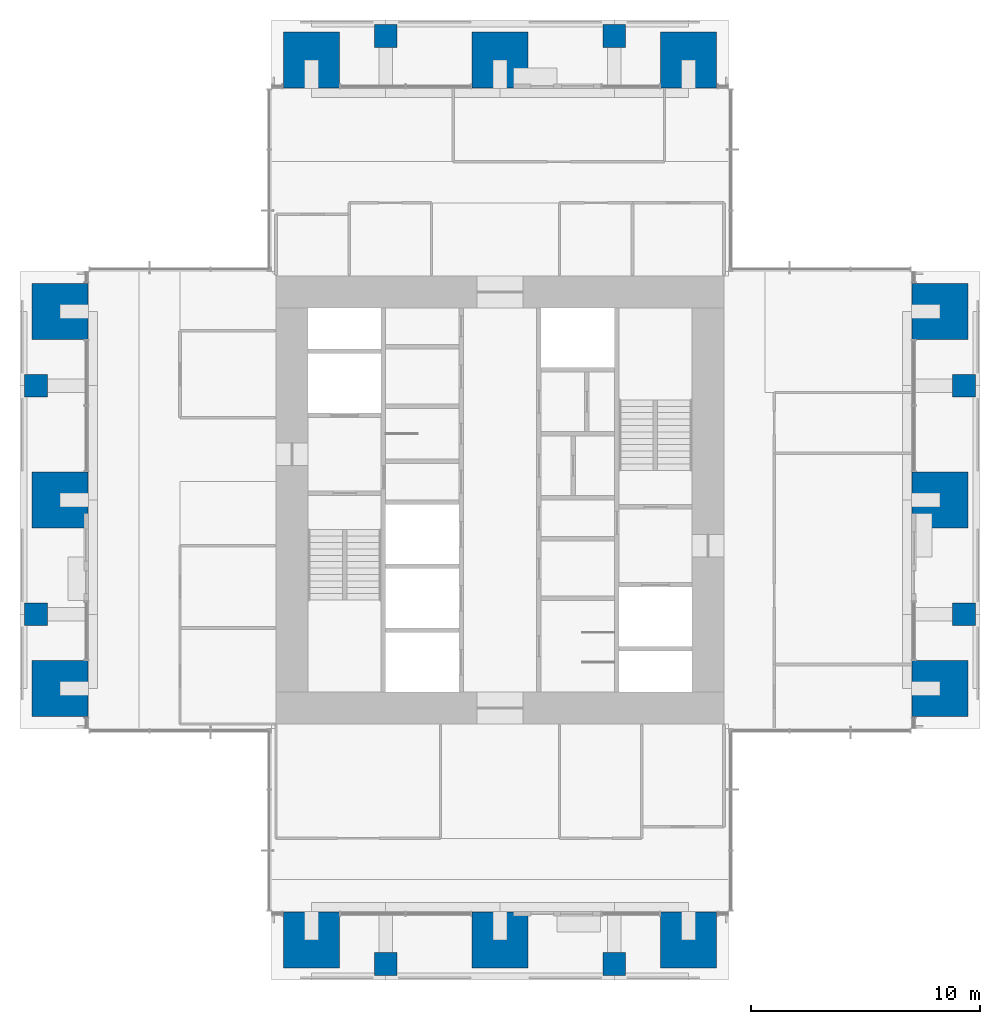
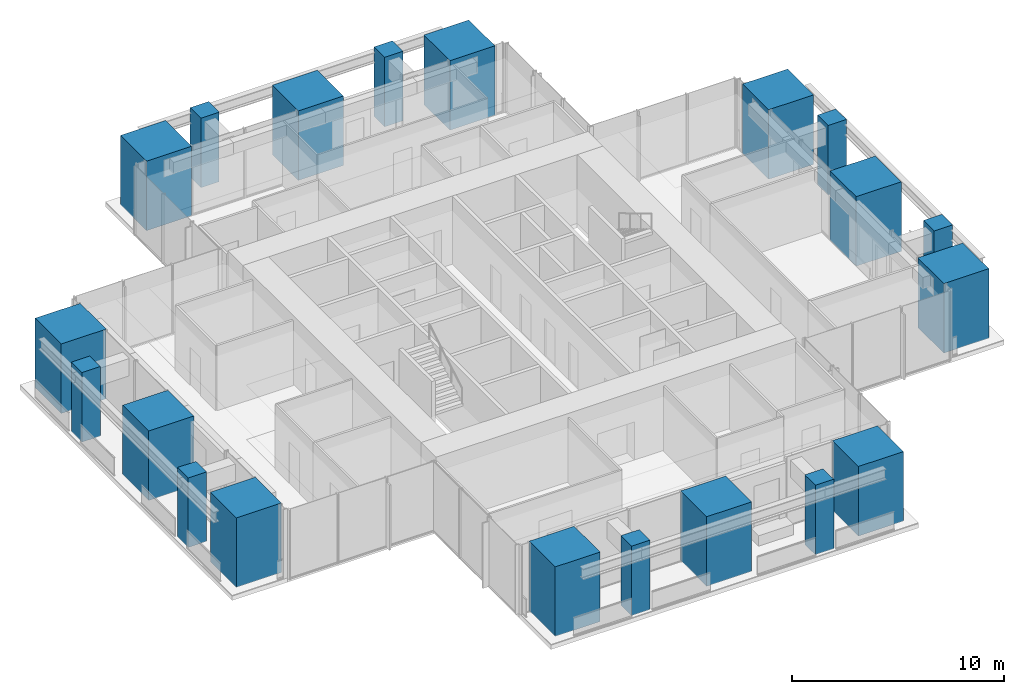
# One storey, part 1 of 17: 20 columns.
"""IFC4 building model written with IfcOpenShell, lengths in metres."""

from ifc_helpers import new_model, si_unit, direction, frame, origin, origin_2d, place, context, subcontext, project, spatial, rectangle, extrude, material, material_profile, profile_set, type_object, element, save


model = new_model("IFC4")

# Units and contexts
model_context = context("Model", 3, precision=1e-05, world=origin(), true_north=direction((0.0, 1.0)))
body_context = subcontext(model_context, "Body", "Model", "MODEL_VIEW")
ifc_project = project(units=[si_unit("LENGTHUNIT", "METRE"), si_unit("AREAUNIT", "SQUARE_METRE"), si_unit("VOLUMEUNIT", "CUBIC_METRE"), si_unit("PLANEANGLEUNIT", "RADIAN"), si_unit("MASSUNIT", "GRAM", prefix="KILO")], contexts=[model_context])

# Site, building, storey
site_placement = place(None, origin())
site = spatial("IfcSite", under=ifc_project, at=site_placement, CompositionType="ELEMENT")
building_placement = place(site_placement, origin())
building = spatial("IfcBuilding", under=site, at=building_placement, Name="Svetlomir Tower", CompositionType="ELEMENT")
storey_placement = place(building_placement, frame((0.0, 0.0, 178.5)))
storey = spatial("IfcBuildingStorey", under=building, at=storey_placement, Name="L42", CompositionType="ELEMENT", Elevation=178.5)

# Columns
ifc_material_1 = material(Name="Concrete C60/75", Category="concrete")
ifc_material_profile_1 = material_profile(ifc_material_1, rectangle(XDim=1.0, YDim=1.0, at=origin_2d()), Name="RC 1000x1000")
ifc_profile_set_1 = profile_set([ifc_material_profile_1], Name="Concrete C60/75")
column_type_1 = type_object("IfcColumnType", Name="COLUMN RC 1000x1000", PredefinedType="COLUMN", material=ifc_profile_set_1)
for number, where, z_axis, x_axis, name in (
    (1, (16.0, 0.699951171875, 0.0), (0.0, 0.0, 1.0), (1.0, 0.0, 0.0), "Column 16/0 L42"),
    (2, (26.0, 0.699951171875, 0.0), (0.0, 0.0, 1.0), (1.0, 0.0, 0.0), "Column 26/0 L42"),
    (3, (0.699951171875, 16.0, 0.0), (0.0, 0.0, 1.0), (1.0, 0.0, 0.0), "Column 0/16 L42"),
    (4, (41.300048828125, 16.0, 0.0), (0.0, 0.0, 1.0), (1.0, 0.0, 0.0), "Column 42/16 L42"),
    (5, (0.699951171875, 26.0, 0.0), (0.0, 0.0, 1.0), (1.0, 0.0, 0.0), "Column 0/26 L42"),
    (6, (41.300048828125, 26.0, 0.0), (0.0, 0.0, 1.0), (1.0, 0.0, 0.0), "Column 42/26 L42"),
    (7, (16.0, 41.300048828125, 0.0), (0.0, 0.0, 1.0), (1.0, 0.0, 0.0), "Column 16/42 L42"),
    (8, (26.0, 41.300048828125, 0.0), (0.0, 0.0, 1.0), (1.0, 0.0, 0.0), "Column 26/42 L42"),
):
    element("IfcColumn", number, at=place(storey_placement, frame(where, z_axis=z_axis, x_axis=x_axis)), inside=storey, type_object=column_type_1, Name=name, PredefinedType="COLUMN", context=body_context, shape_type="SweptSolid", body=[
        extrude(rectangle(XDim=1.0, YDim=1.0, at=origin_2d()), origin(), (0.0, 0.0, 1.0), 4.0),
    ])
ifc_material_2 = material(Name="Concrete C60/75", Category="concrete")
ifc_material_profile_2 = material_profile(ifc_material_2, rectangle(XDim=2.449951171875, YDim=2.449951171875, at=origin_2d()), Name="RC 2450x2450")
ifc_profile_set_2 = profile_set([ifc_material_profile_2], Name="Concrete C60/75")
column_type_2 = type_object("IfcColumnType", Name="COLUMN RC 2450x2450", PredefinedType="COLUMN", material=ifc_profile_set_2)
for number, where, z_axis, x_axis, name in (
    (9, (12.75, 1.75, 0.0), (0.0, 0.0, 1.0), (1.0, 0.0, 0.0), "Column 11/0 L42"),
    (10, (21.0, 1.75, 0.0), (0.0, 0.0, 1.0), (1.0, 0.0, 0.0), "Column 21/0 L42"),
    (11, (29.25, 1.75, 0.0), (0.0, 0.0, 1.0), (1.0, 0.0, 0.0), "Column 31/0 L42"),
    (12, (1.75, 12.75, 0.0), (0.0, 0.0, 1.0), (1.0, 0.0, 0.0), "Column 0/11 L42"),
    (13, (40.25, 12.75, 0.0), (0.0, 0.0, 1.0), (1.0, 0.0, 0.0), "Column 42/11 L42"),
    (14, (1.75, 21.0, 0.0), (0.0, 0.0, 1.0), (1.0, 0.0, 0.0), "Column 0/21 L42"),
    (15, (40.25, 21.0, 0.0), (0.0, 0.0, 1.0), (1.0, 0.0, 0.0), "Column 42/21 L42"),
    (16, (1.75, 29.25, 0.0), (0.0, 0.0, 1.0), (1.0, 0.0, 0.0), "Column 0/31 L42"),
    (17, (40.25, 29.25, 0.0), (0.0, 0.0, 1.0), (1.0, 0.0, 0.0), "Column 42/31 L42"),
    (18, (12.75, 40.25, 0.0), (0.0, 0.0, 1.0), (1.0, 0.0, 0.0), "Column 11/42 L42"),
    (19, (21.0, 40.25, 0.0), (0.0, 0.0, 1.0), (1.0, 0.0, 0.0), "Column 21/42 L42"),
    (20, (29.25, 40.25, 0.0), (0.0, 0.0, 1.0), (1.0, 0.0, 0.0), "Column 31/42 L42"),
):
    element("IfcColumn", number, at=place(storey_placement, frame(where, z_axis=z_axis, x_axis=x_axis)), inside=storey, type_object=column_type_2, Name=name, PredefinedType="COLUMN", context=body_context, shape_type="SweptSolid", body=[
        extrude(rectangle(XDim=2.449951171875, YDim=2.449951171875, at=origin_2d()), origin(), (0.0, 0.0, 1.0), 4.0),
    ])

save(model, "model.ifc")
